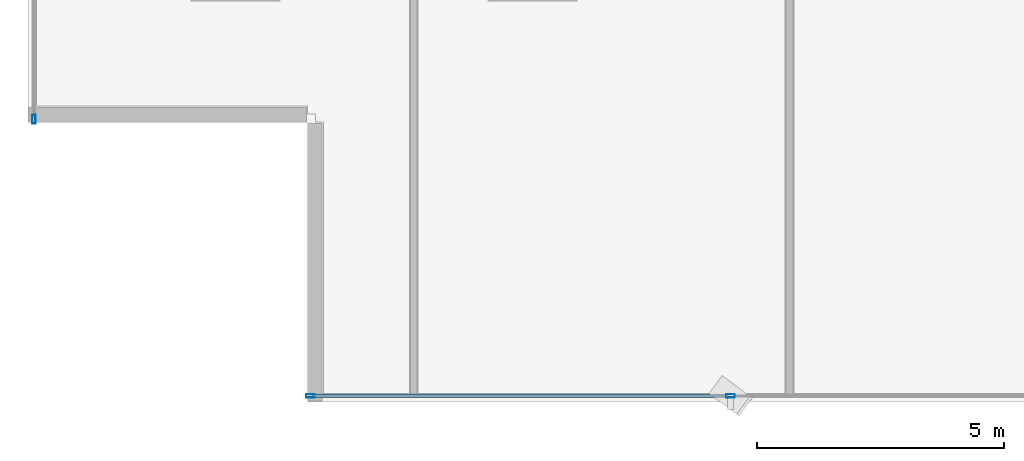
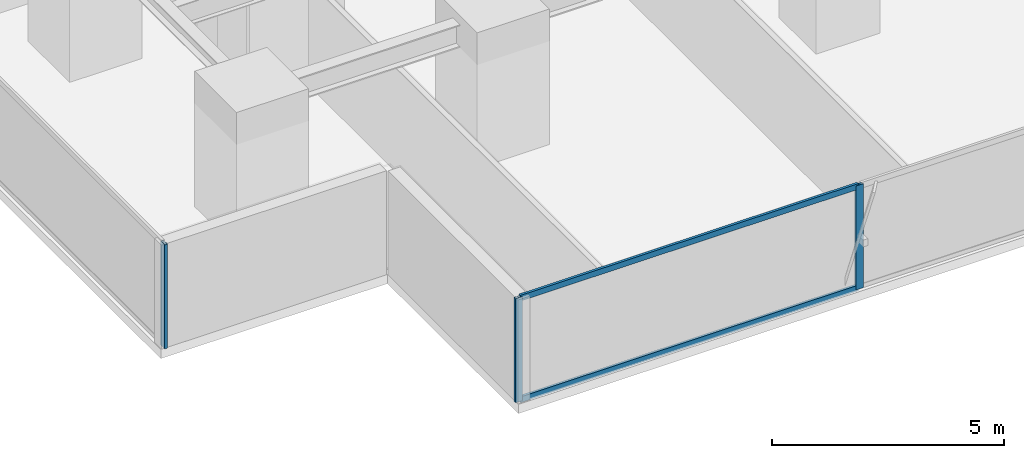
# One storey, part 2 of 33: 5 members, 2 elements without a shape of their own.
"""IFC4 building model written with IfcOpenShell, lengths in metres."""

from ifc_helpers import new_model, si_unit, direction, frame, origin, origin_2d, place, context, subcontext, project, spatial, hollow_rectangle, extrude, source, transform, mapped, material, layer, layer_set, material_profile, profile_set, type_object, element, aggregate, save


model = new_model("IFC4")

# Units and contexts
model_context = context("Model", 3, precision=1e-05, world=origin(), true_north=direction((0.0, 1.0)))
body_context = subcontext(model_context, "Body", "Model", "MODEL_VIEW")
ifc_project = project(units=[si_unit("LENGTHUNIT", "METRE"), si_unit("AREAUNIT", "SQUARE_METRE"), si_unit("VOLUMEUNIT", "CUBIC_METRE"), si_unit("PLANEANGLEUNIT", "RADIAN"), si_unit("MASSUNIT", "GRAM", prefix="KILO")], contexts=[model_context])

# Site, building, storey
site_placement = place(None, origin())
site = spatial("IfcSite", under=ifc_project, at=site_placement, CompositionType="ELEMENT")
building_placement = place(site_placement, origin())
building = spatial("IfcBuilding", under=site, at=building_placement, Name="Sumidabori Civic Tower", CompositionType="ELEMENT")
storey_placement = place(building_placement, frame((0.0, 0.0, 38.0)))
storey = spatial("IfcBuildingStorey", under=building, at=storey_placement, Name="L09", CompositionType="ELEMENT", Elevation=38.0)

# Curtain wall, members
ifc_material = material(Name="Anodised Bronze Aluminium AW-6063-T6", Category="aluminium")
ifc_layer = layer(ifc_material, 0.179931640625, Name="Anodised Bronze Aluminium AW-6063-T6")
ifc_layer_set = layer_set([ifc_layer], Name="Anodised Bronze Aluminium AW-6063-T6")
curtain_wall_type = type_object("IfcCurtainWallType", Name="CW-SYS-2", PredefinedType="NOTDEFINED", material=ifc_layer_set)
curtain_wall_1_placement = place(storey_placement, origin())
curtain_wall_1 = element("IfcCurtainWall", 1, at=curtain_wall_1_placement, inside=storey, type_object=curtain_wall_type, Name="Curtain Wall CW:L09:R01", PredefinedType="NOTDEFINED")
ifc_material_profile_1 = material_profile(ifc_material, hollow_rectangle(XDim=0.070068359375, YDim=0.179931640625, WallThickness=0.006103515625, at=origin_2d()), Name="ALU MULLION 180x70")
ifc_profile_set_1 = profile_set([ifc_material_profile_1], Name="Anodised Bronze Aluminium AW-6063-T6")
member_type_1 = type_object("IfcMemberType", Name="CW-MUL-180", PredefinedType="MULLION", material=ifc_profile_set_1)
shared_shape_1 = source(origin(), body_context, "Body", "SweptSolid", [
    extrude(hollow_rectangle(XDim=0.070068359375, YDim=0.179931640625, WallThickness=0.006103515625, at=origin_2d()), origin(), (0.0, 0.0, 1.0), 2.739990234375),
])
member_1_placement = place(storey_placement, frame((-21.284912109375, -26.8798828125, 0.0), z_axis=(0.0, 0.0, 1.0), x_axis=(0.0, 1.0, 0.0)))
member_1 = element("IfcMember", 2, at=member_1_placement, type_object=member_type_1, Name="CW-2 mullion 1", PredefinedType="MULLION", context=body_context, shape_type="MappedRepresentation", body=[
    mapped(shared_shape_1, transform((0.0, 0.0, 0.0), x_axis=(1.0, 0.0, 0.0), y_axis=(0.0, 1.0, 0.0), z_axis=(0.0, 0.0, 1.0), scale=1.0)),
])
member_2_placement = place(storey_placement, frame((-12.7919921875, -26.8798828125, 0.0), z_axis=(0.0, 0.0, 1.0), x_axis=(0.0, 1.0, 0.0)))
member_2 = element("IfcMember", 3, at=member_2_placement, type_object=member_type_1, Name="CW-2 mullion 2", PredefinedType="MULLION", context=body_context, shape_type="MappedRepresentation", body=[
    mapped(shared_shape_1, transform((0.0, 0.0, 0.0), x_axis=(1.0, 0.0, 0.0), y_axis=(0.0, 1.0, 0.0), z_axis=(0.0, 0.0, 1.0), scale=1.0)),
])

# Curtain wall, member
curtain_wall_2_placement = place(storey_placement, origin())
curtain_wall_2 = element("IfcCurtainWall", 4, at=curtain_wall_2_placement, inside=storey, type_object=curtain_wall_type, Name="Curtain Wall CW:L09:R10", PredefinedType="NOTDEFINED")
member_3_placement = place(storey_placement, frame((-26.8798828125, -21.284912109375, 0.0), z_axis=(0.0, 0.0, 1.0), x_axis=(1.0, 0.0, 0.0)))
member_3 = element("IfcMember", 5, at=member_3_placement, type_object=member_type_1, Name="CW-2 mullion 6", PredefinedType="MULLION", context=body_context, shape_type="MappedRepresentation", body=[
    mapped(shared_shape_1, transform((0.0, 0.0, 0.0), x_axis=(1.0, 0.0, 0.0), y_axis=(0.0, 1.0, 0.0), z_axis=(0.0, 0.0, 1.0), scale=1.0)),
])
aggregate(curtain_wall_2, [member_3])

# Member
ifc_material_profile_2 = material_profile(ifc_material, hollow_rectangle(XDim=0.06494140625, YDim=0.14990234375, WallThickness=0.0048828125, at=origin_2d()), Name="ALU TRANSOM 150x65")
ifc_profile_set_2 = profile_set([ifc_material_profile_2], Name="Anodised Bronze Aluminium AW-6063-T6")
member_type_2 = type_object("IfcMemberType", Name="CW-TRN-150", PredefinedType="USERDEFINED", material=ifc_profile_set_2)
shared_shape_2 = source(origin(), body_context, "Body", "SweptSolid", [
    extrude(hollow_rectangle(XDim=0.06494140625, YDim=0.14990234375, WallThickness=0.0048828125, at=origin_2d()), origin(), (0.0, 0.0, 1.0), 8.423095703125),
])
member_4_placement = place(storey_placement, frame((-21.25, -26.8798828125, 0.032470703125), z_axis=(1.0, 0.0, 0.0), x_axis=(0.0, 1.0, 0.0)))
member_4 = element("IfcMember", 6, at=member_4_placement, type_object=member_type_2, Name="CW-2 transom 1.1", ObjectType="TRANSOM", PredefinedType="USERDEFINED", context=body_context, shape_type="MappedRepresentation", body=[
    mapped(shared_shape_2, transform((0.0, 0.0, 0.0), x_axis=(1.0, 0.0, 0.0), y_axis=(0.0, 1.0, 0.0), z_axis=(0.0, 0.0, 1.0), scale=1.0)),
])

member_5_placement = place(storey_placement, frame((-21.25, -26.8798828125, 2.70751953125), z_axis=(1.0, 0.0, 0.0), x_axis=(0.0, 1.0, 0.0)))
member_5 = element("IfcMember", 7, at=member_5_placement, type_object=member_type_2, Name="CW-2 transom 1.2", ObjectType="TRANSOM", PredefinedType="USERDEFINED", context=body_context, shape_type="MappedRepresentation", body=[
    mapped(shared_shape_2, transform((0.0, 0.0, 0.0), x_axis=(1.0, 0.0, 0.0), y_axis=(0.0, 1.0, 0.0), z_axis=(0.0, 0.0, 1.0), scale=1.0)),
])

aggregate(curtain_wall_1, [member_1, member_2, member_4, member_5])

save(model, "model.ifc")
